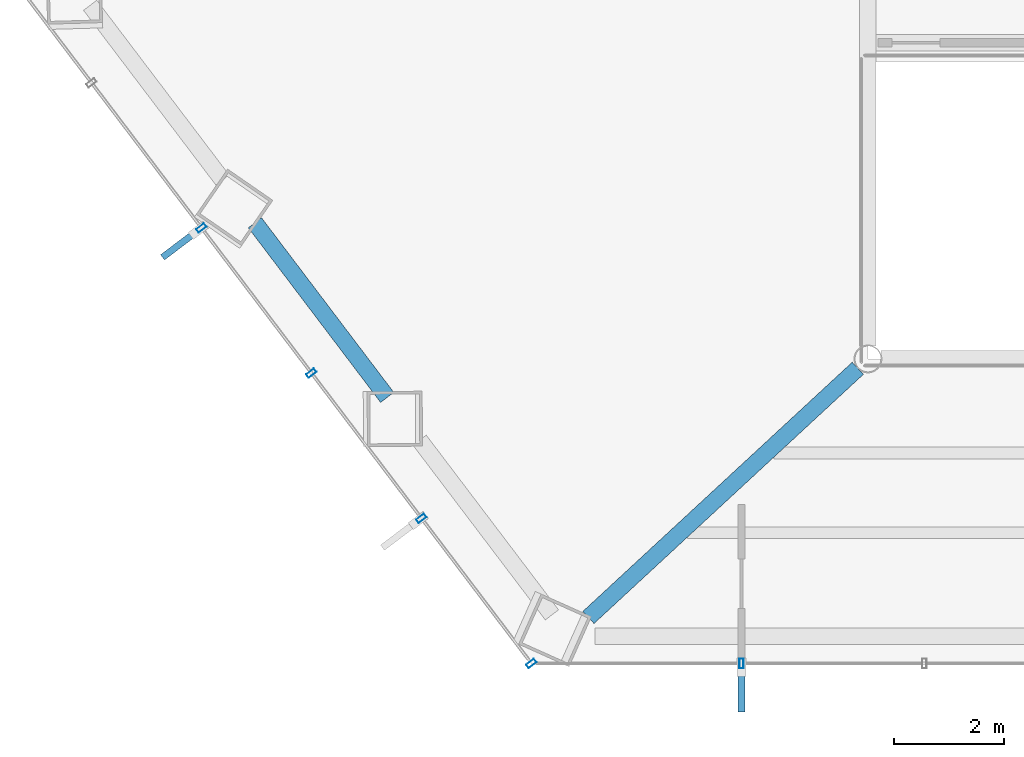
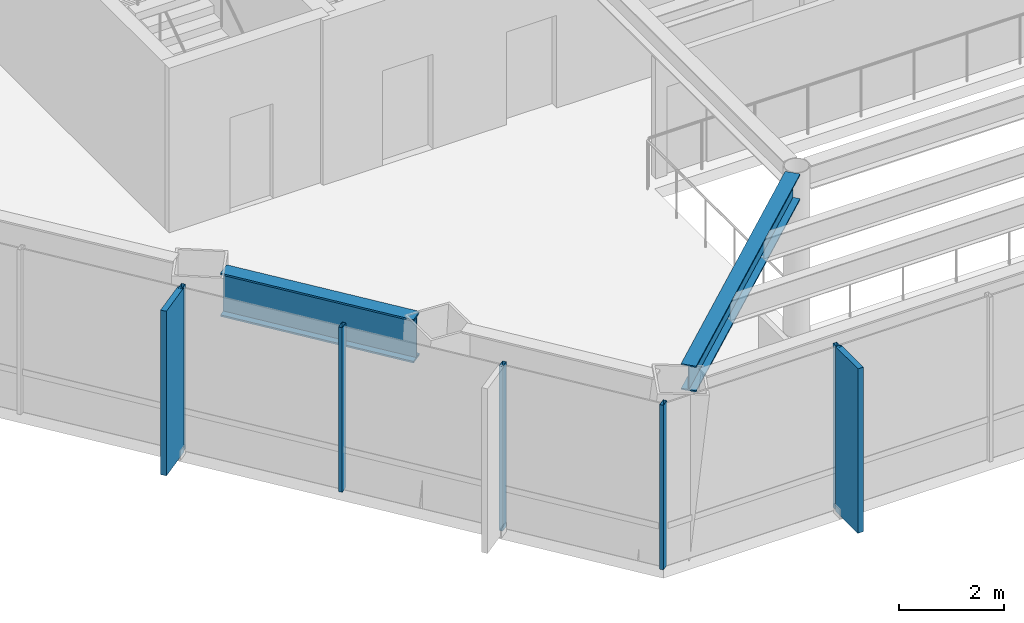
# One storey, part 2 of 26: 7 members, 2 beams, 2 elements without a shape of their own.
"""IFC4 building model written with IfcOpenShell, lengths in metres."""

from ifc_helpers import new_model, si_unit, direction, frame, origin, origin_2d, place, context, subcontext, project, spatial, rectangle, hollow_rectangle, i_section, extrude, material, layer, layer_set, material_profile, profile_set, type_object, element, aggregate, save


model = new_model("IFC4")

# Units and contexts
model_context = context("Model", 3, precision=1e-05, world=origin(), true_north=direction((0.0, 1.0)))
body_context = subcontext(model_context, "Body", "Model", "MODEL_VIEW")
ifc_project = project(units=[si_unit("LENGTHUNIT", "METRE"), si_unit("AREAUNIT", "SQUARE_METRE"), si_unit("VOLUMEUNIT", "CUBIC_METRE"), si_unit("PLANEANGLEUNIT", "RADIAN"), si_unit("MASSUNIT", "GRAM", prefix="KILO")], contexts=[model_context])

# Site, building, storey
site_placement = place(None, origin())
site = spatial("IfcSite", under=ifc_project, at=site_placement, CompositionType="ELEMENT")
building_placement = place(site_placement, origin())
building = spatial("IfcBuilding", under=site, at=building_placement, Name="Zarrinselat Tower", CompositionType="ELEMENT")
storey_placement = place(building_placement, frame((0.0, 0.0, 60.179931640625)))
storey = spatial("IfcBuildingStorey", under=building, at=storey_placement, Name="L14", CompositionType="ELEMENT", Elevation=60.179931640625)

# Beams
ifc_material_1 = material(Name="Steel S355J2", Category="steel")
ifc_material_profile_1 = material_profile(ifc_material_1, i_section(OverallWidth=0.300048828125, OverallDepth=0.60009765625, WebThickness=0.015380859375, FlangeThickness=0.030029296875, at=origin_2d()), Name="HEB 600")
ifc_profile_set_1 = profile_set([ifc_material_profile_1], Name="Steel S355J2")
beam_type_1 = type_object("IfcBeamType", Name="BM-HEB600", PredefinedType="BEAM", material=ifc_profile_set_1)
beam_1_placement = place(storey_placement, frame((28.71630859375, 19.697509765625, 3.52001953125), z_axis=(0.734093514164, 0.679048387423, 0.0), x_axis=(-0.679048387423, 0.734093514164, 0.0)))
element("IfcBeam", 1, at=beam_1_placement, inside=storey, type_object=beam_type_1, Name="L14 Radial Primary Girder RG10", PredefinedType="BEAM", context=body_context, shape_type="SweptSolid", body=[
    extrude(i_section(OverallWidth=0.300048828125, OverallDepth=0.60009765625, WebThickness=0.015380859375, FlangeThickness=0.030029296875, at=origin_2d()), origin(), (0.0, 0.0, 1.0), 6.675048828125),
])
ifc_material_2 = material(Name="Steel S460M", Category="steel")
ifc_material_profile_2 = material_profile(ifc_material_2, i_section(OverallWidth=0.302001953125, OverallDepth=1.008056640625, WebThickness=0.02099609375, FlangeThickness=0.0400390625, at=origin_2d()), Name="HEM 1000")
ifc_profile_set_2 = profile_set([ifc_material_profile_2], Name="Steel S460M")
beam_type_2 = type_object("IfcBeamType", Name="BM-HEM1000", PredefinedType="BEAM", material=ifc_profile_set_2)
beam_2_placement = place(storey_placement, frame((22.650634765625, 26.876708984375, 3.316162109375), z_axis=(0.603864764973, -0.797086786758, 0.0), x_axis=(0.797086786758, 0.603864764973, 0.0)))
element("IfcBeam", 2, at=beam_2_placement, inside=storey, type_object=beam_type_2, Name="L14 Perimeter Spandrel Girder SP08", PredefinedType="BEAM", context=body_context, shape_type="SweptSolid", body=[
    extrude(i_section(OverallWidth=0.302001953125, OverallDepth=1.008056640625, WebThickness=0.02099609375, FlangeThickness=0.0400390625, at=origin_2d()), origin(), (0.0, 0.0, 1.0), 3.985107421875),
])

# Curtain wall, members
ifc_material_3 = material(Name="Extruded Aluminium Alloy EN AW-6063 T6", Category="aluminium")
ifc_layer = layer(ifc_material_3, 0.18505859375)
ifc_layer_set = layer_set([ifc_layer], Name="Extruded Aluminium Alloy EN AW-6063 T6")
curtain_wall_type = type_object("IfcCurtainWallType", Name="CWS-OFF", PredefinedType="NOTDEFINED", material=ifc_layer_set)
curtain_wall_1_placement = place(storey_placement, origin())
curtain_wall_1 = element("IfcCurtainWall", 3, at=curtain_wall_1_placement, inside=storey, type_object=curtain_wall_type, Name="L14 Unitised Curtain Wall CW-L14-E03", PredefinedType="NOTDEFINED")
ifc_material_4 = material(Name="Extruded Aluminium Alloy EN AW-6063 T6", Category="aluminium")
ifc_material_profile_3 = material_profile(ifc_material_4, hollow_rectangle(XDim=0.080078125, YDim=0.179931640625, WallThickness=0.0048828125, at=origin_2d()), Name="RHS 180x80x5")
ifc_profile_set_3 = profile_set([ifc_material_profile_3], Name="Extruded Aluminium Alloy EN AW-6063 T6")
member_type_1 = type_object("IfcMemberType", Name="MEM-CW-MUL", PredefinedType="MULLION", material=ifc_profile_set_3)
member_1_placement = place(storey_placement, frame((21.677001953125, 26.781982421875, 0.0), z_axis=(0.0, 0.0, 1.0), x_axis=(0.603861563254, -0.797089212337, 0.0)))
member_1 = element("IfcMember", 4, at=member_1_placement, type_object=member_type_1, Name="CW-L14-E03 Mullion 3", PredefinedType="MULLION", context=body_context, shape_type="SweptSolid", body=[
    extrude(hollow_rectangle(XDim=0.080078125, YDim=0.179931640625, WallThickness=0.0048828125, at=origin_2d()), origin(), (0.0, 0.0, 1.0), 3.820068359375),
])
member_2_placement = place(storey_placement, frame((23.67724609375, 24.141845703125, 0.0), z_axis=(0.0, 0.0, 1.0), x_axis=(0.603861563254, -0.797089212337, 0.0)))
member_2 = element("IfcMember", 5, at=member_2_placement, type_object=member_type_1, Name="CW-L14-E03 Mullion 4", PredefinedType="MULLION", context=body_context, shape_type="SweptSolid", body=[
    extrude(hollow_rectangle(XDim=0.080078125, YDim=0.179931640625, WallThickness=0.0048828125, at=origin_2d()), origin(), (0.0, 0.0, 1.0), 3.820068359375),
])
member_3_placement = place(storey_placement, frame((25.67724609375, 21.501708984375, 0.0), z_axis=(0.0, 0.0, 1.0), x_axis=(0.603861563254, -0.797089212337, 0.0)))
member_3 = element("IfcMember", 6, at=member_3_placement, type_object=member_type_1, Name="CW-L14-E03 Mullion 5", PredefinedType="MULLION", context=body_context, shape_type="SweptSolid", body=[
    extrude(hollow_rectangle(XDim=0.080078125, YDim=0.179931640625, WallThickness=0.0048828125, at=origin_2d()), origin(), (0.0, 0.0, 1.0), 3.820068359375),
])
member_4_placement = place(storey_placement, frame((27.677490234375, 18.86181640625, 0.0), z_axis=(0.0, 0.0, 1.0), x_axis=(0.603861563254, -0.797089212337, 0.0)))
member_4 = element("IfcMember", 7, at=member_4_placement, type_object=member_type_1, Name="CW-L14-E03 Mullion 6", PredefinedType="MULLION", context=body_context, shape_type="SweptSolid", body=[
    extrude(hollow_rectangle(XDim=0.080078125, YDim=0.179931640625, WallThickness=0.0048828125, at=origin_2d()), origin(), (0.0, 0.0, 1.0), 3.820068359375),
])

# Curtain wall, member
curtain_wall_2_placement = place(storey_placement, origin())
curtain_wall_2 = element("IfcCurtainWall", 8, at=curtain_wall_2_placement, inside=storey, type_object=curtain_wall_type, Name="L14 Unitised Curtain Wall CW-L14-E04", PredefinedType="NOTDEFINED")
member_5_placement = place(storey_placement, frame((31.5, 18.86181640625, 0.0), z_axis=(0.0, 0.0, 1.0), x_axis=(1.0, 0.0, 0.0)))
member_5 = element("IfcMember", 9, at=member_5_placement, type_object=member_type_1, Name="CW-L14-E04 Mullion 1", PredefinedType="MULLION", context=body_context, shape_type="SweptSolid", body=[
    extrude(hollow_rectangle(XDim=0.080078125, YDim=0.179931640625, WallThickness=0.0048828125, at=origin_2d()), origin(), (0.0, 0.0, 1.0), 3.820068359375),
])

# Member
ifc_material_5 = material(Name="Honed Cream Travertine Stone", Category="masonry")
ifc_material_profile_4 = material_profile(ifc_material_5, rectangle(XDim=0.1201171875, YDim=0.85009765625, at=origin_2d()), Name="FIN 850x120")
ifc_profile_set_4 = profile_set([ifc_material_profile_4], Name="Honed Cream Travertine Stone")
member_type_2 = type_object("IfcMemberType", Name="MEM-STONE-FIN", PredefinedType="USERDEFINED", material=ifc_profile_set_4)
member_6_placement = place(storey_placement, frame((21.310302734375, 26.504150390625, 0.0), z_axis=(0.0, 0.0, 1.0), x_axis=(-0.603861563254, 0.797089212337, 0.0)))
member_6 = element("IfcMember", 10, at=member_6_placement, type_object=member_type_2, Name="L14 Stone Shading Fin CW-L14-E03-03", ObjectType="FIN", PredefinedType="USERDEFINED", context=body_context, shape_type="SweptSolid", body=[
    extrude(rectangle(XDim=0.1201171875, YDim=0.85009765625, at=origin_2d()), origin(), (0.0, 0.0, 1.0), 3.820068359375),
])

aggregate(curtain_wall_1, [member_1, member_6, member_2, member_3, member_4])

member_7_placement = place(storey_placement, frame((31.5, 18.401611328125, 0.0), z_axis=(0.0, 0.0, 1.0), x_axis=(-1.0, 0.0, 0.0)))
member_7 = element("IfcMember", 11, at=member_7_placement, type_object=member_type_2, Name="L14 Stone Shading Fin CW-L14-E04-01", ObjectType="FIN", PredefinedType="USERDEFINED", context=body_context, shape_type="SweptSolid", body=[
    extrude(rectangle(XDim=0.1201171875, YDim=0.85009765625, at=origin_2d()), origin(), (0.0, 0.0, 1.0), 3.820068359375),
])

aggregate(curtain_wall_2, [member_5, member_7])

save(model, "model.ifc")
